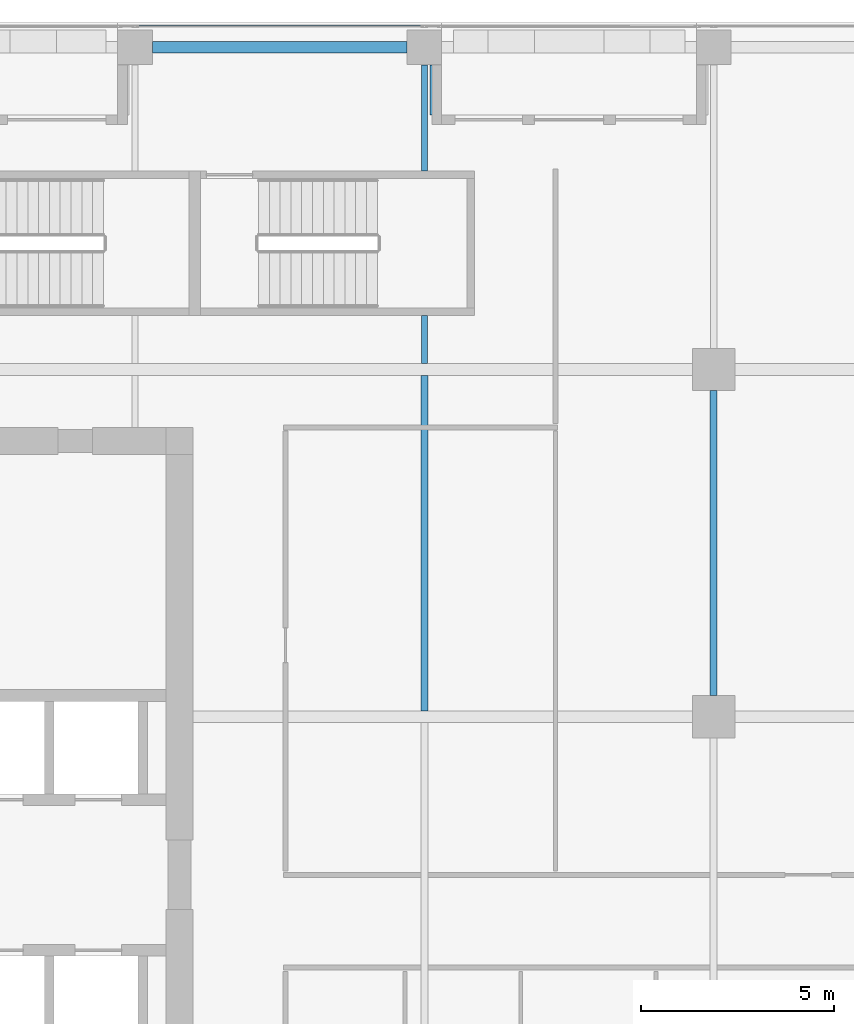
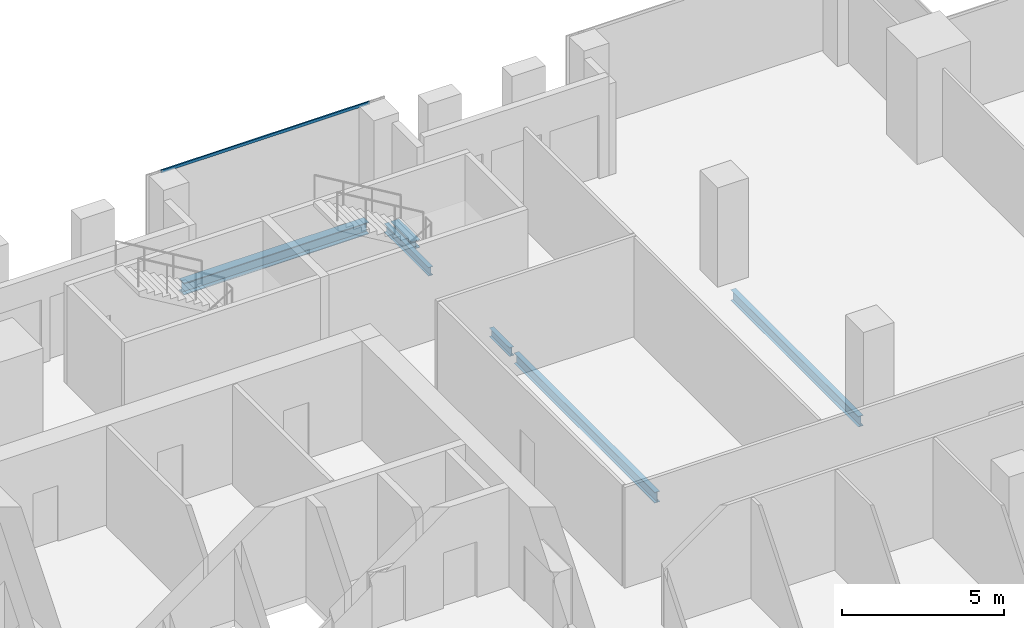
# One storey, part 19 of 36: 6 beams, 1 member, 1 element without a shape of its own.
"""IFC4 building model written with IfcOpenShell, lengths in metres."""

from ifc_helpers import new_model, si_unit, direction, frame, origin, origin_2d, place, context, subcontext, project, spatial, hollow_rectangle, i_section, extrude, source, transform, mapped, material, material_profile, profile_set, type_object, element, aggregate, save


model = new_model("IFC4")

# Units and contexts
model_context = context("Model", 3, precision=1e-05, world=origin(), true_north=direction((0.0, 1.0)))
body_context = subcontext(model_context, "Body", "Model", "MODEL_VIEW")
ifc_project = project(units=[si_unit("LENGTHUNIT", "METRE"), si_unit("AREAUNIT", "SQUARE_METRE"), si_unit("VOLUMEUNIT", "CUBIC_METRE"), si_unit("PLANEANGLEUNIT", "RADIAN"), si_unit("MASSUNIT", "GRAM", prefix="KILO")], contexts=[model_context])

# Site, building, storey
site_placement = place(None, origin())
site = spatial("IfcSite", under=ifc_project, at=site_placement, CompositionType="ELEMENT")
building_placement = place(site_placement, origin())
building = spatial("IfcBuilding", under=site, at=building_placement, Name="Khomas Fold Tower", CompositionType="ELEMENT")
storey_placement = place(building_placement, frame((0.0, 0.0, 238.199951171875)))
storey = spatial("IfcBuildingStorey", under=building, at=storey_placement, Name="L53", CompositionType="ELEMENT", Elevation=238.199951171875)

# Beams
ifc_material_1 = material(Name="Steel S355", Category="steel")
ifc_material_profile_1 = material_profile(ifc_material_1, i_section(OverallWidth=0.179931640625, OverallDepth=0.39990234375, WebThickness=0.008544921875, FlangeThickness=0.013427734375, at=origin_2d()), Name="IPE 400")
ifc_profile_set_1 = profile_set([ifc_material_profile_1], Name="Steel S355")
beam_type_1 = type_object("IfcBeamType", Name="IPE 400 beam JB3", PredefinedType="BEAM", material=ifc_profile_set_1)
shared_shape_1 = source(origin(), body_context, "Body", "SweptSolid", [
    extrude(i_section(OverallWidth=0.179931640625, OverallDepth=0.39990234375, WebThickness=0.008544921875, FlangeThickness=0.013427734375, at=origin_2d()), origin(), (0.0, 0.0, 1.0), 8.7001953125),
])
beam_1_placement = place(storey_placement, frame((27.0, 31.64990234375, -0.449951171875), z_axis=(0.0, 1.0, 0.0), x_axis=(-1.0, 0.0, 0.0)))
element("IfcBeam", 1, at=beam_1_placement, inside=storey, type_object=beam_type_1, Name="JB3", PredefinedType="BEAM", context=body_context, shape_type="MappedRepresentation", body=[
    mapped(shared_shape_1, transform((0.0, 0.0, 0.0))),
])
ifc_material_2 = material(Name="Steel S355", Category="steel")
ifc_material_profile_2 = material_profile(ifc_material_2, i_section(OverallWidth=0.159912109375, OverallDepth=0.330078125, WebThickness=0.007568359375, FlangeThickness=0.011474609375, at=origin_2d()), Name="IPE 330")
ifc_profile_set_2 = profile_set([ifc_material_profile_2], Name="Steel S355")
beam_type_2 = type_object("IfcBeamType", Name="IPE 330 beam JB1", PredefinedType="BEAM", material=ifc_profile_set_2)
shared_shape_2 = source(origin(), body_context, "Body", "SweptSolid", [
    extrude(i_section(OverallWidth=0.159912109375, OverallDepth=0.330078125, WebThickness=0.007568359375, FlangeThickness=0.011474609375, at=origin_2d()), origin(), (0.0, 0.0, 1.0), 1.25),
])
beam_2_placement = place(storey_placement, frame((27.0, 40.64990234375, -0.4150390625), z_axis=(0.0, 1.0, 0.0), x_axis=(-1.0, 0.0, 0.0)))
element("IfcBeam", 2, at=beam_2_placement, inside=storey, type_object=beam_type_2, Name="JB1", PredefinedType="BEAM", context=body_context, shape_type="MappedRepresentation", body=[
    mapped(shared_shape_2, transform((0.0, 0.0, 0.0))),
])
shared_shape_3 = source(origin(), body_context, "Body", "SweptSolid", [
    extrude(i_section(OverallWidth=0.159912109375, OverallDepth=0.330078125, WebThickness=0.007568359375, FlangeThickness=0.011474609375, at=origin_2d()), origin(), (0.0, 0.0, 1.0), 2.75),
])
beam_3_placement = place(storey_placement, frame((27.0, 45.64990234375, -0.4150390625), z_axis=(0.0, 1.0, 0.0), x_axis=(-1.0, 0.0, 0.0)))
element("IfcBeam", 3, at=beam_3_placement, inside=storey, type_object=beam_type_2, Name="JB1", PredefinedType="BEAM", context=body_context, shape_type="MappedRepresentation", body=[
    mapped(shared_shape_3, transform((0.0, 0.0, 0.0))),
])
ifc_material_3 = material(Name="Steel S355", Category="steel")
ifc_material_profile_3 = material_profile(ifc_material_3, i_section(OverallWidth=0.300048828125, OverallDepth=0.449951171875, WebThickness=0.013916015625, FlangeThickness=0.02587890625, at=origin_2d()), Name="HE 450 B")
ifc_profile_set_3 = profile_set([ifc_material_profile_3], Name="Steel S355")
beam_type_3 = type_object("IfcBeamType", Name="HE 450 B spandrel SB4", PredefinedType="SPANDREL", material=ifc_profile_set_3)
shared_shape_4 = source(origin(), body_context, "Body", "SweptSolid", [
    extrude(i_section(OverallWidth=0.300048828125, OverallDepth=0.449951171875, WebThickness=0.013916015625, FlangeThickness=0.02587890625, at=origin_2d()), origin(), (0.0, 0.0, 1.0), 6.60009765625),
])
beam_4_placement = place(storey_placement, frame((19.949951171875, 48.85009765625, -0.474853515625), z_axis=(1.0, 0.0, 0.0), x_axis=(0.0, 1.0, 0.0)))
element("IfcBeam", 4, at=beam_4_placement, inside=storey, type_object=beam_type_3, Name="SB4", PredefinedType="SPANDREL", context=body_context, shape_type="MappedRepresentation", body=[
    mapped(shared_shape_4, transform((0.0, 0.0, 0.0))),
])
shared_shape_5 = source(origin(), body_context, "Body", "SweptSolid", [
    extrude(i_section(OverallWidth=0.179931640625, OverallDepth=0.39990234375, WebThickness=0.008544921875, FlangeThickness=0.013427734375, at=origin_2d()), origin(), (0.0, 0.0, 1.0), 7.89990234375),
])
beam_5_placement = place(storey_placement, frame((34.5, 32.050048828125, -0.449951171875), z_axis=(0.0, 1.0, 0.0), x_axis=(-1.0, 0.0, 0.0)))
element("IfcBeam", 5, at=beam_5_placement, inside=storey, type_object=beam_type_1, Name="JB3", PredefinedType="BEAM", context=body_context, shape_type="MappedRepresentation", body=[
    mapped(shared_shape_5, transform((0.0, 0.0, 0.0))),
])
ifc_material_4 = material(Name="Steel S355", Category="steel")
ifc_material_profile_4 = material_profile(ifc_material_4, i_section(OverallWidth=0.300048828125, OverallDepth=0.300048828125, WebThickness=0.010986328125, FlangeThickness=0.01904296875, at=origin_2d()), Name="HE 300 B")
ifc_profile_set_4 = profile_set([ifc_material_profile_4], Name="Steel S355")
beam_type_4 = type_object("IfcBeamType", Name="HE 300 B beam BB1", PredefinedType="BEAM", material=ifc_profile_set_4)
shared_shape_6 = source(origin(), body_context, "Body", "SweptSolid", [
    extrude(i_section(OverallWidth=0.300048828125, OverallDepth=0.300048828125, WebThickness=0.010986328125, FlangeThickness=0.01904296875, at=origin_2d()), origin(), (0.0, 0.0, 1.0), 1.2998046875),
])
beam_6_placement = place(storey_placement, frame((27.300048828125, 47.10009765625, -0.39990234375), z_axis=(0.0, 1.0, 0.0), x_axis=(-1.0, 0.0, 0.0)))
element("IfcBeam", 6, at=beam_6_placement, inside=storey, type_object=beam_type_4, Name="BB1", PredefinedType="BEAM", context=body_context, shape_type="MappedRepresentation", body=[
    mapped(shared_shape_6, transform((0.0, 0.0, 0.0))),
])

# Curtain wall, member
ifc_material_5 = material(Name="Aluminium framed double glazing", Category="aluminium")
curtain_wall_type = type_object("IfcCurtainWallType", Name="SK-Unitised clear-glass wall, office floors CW2", PredefinedType="NOTDEFINED", material=ifc_material_5)
curtain_wall_placement = place(storey_placement, origin())
curtain_wall = element("IfcCurtainWall", 7, at=curtain_wall_placement, inside=storey, type_object=curtain_wall_type, Name="CW2 run L53 06-1", PredefinedType="NOTDEFINED")
ifc_material_6 = material(Name="Aluminium", Category="aluminium")
ifc_material_profile_5 = material_profile(ifc_material_6, hollow_rectangle(XDim=0.050048828125, YDim=0.110107421875, WallThickness=0.00390625, at=origin_2d()), Name="SK-Unitised clear-glass wall, office floors transom CW2-T")
ifc_profile_set_5 = profile_set([ifc_material_profile_5], Name="Aluminium")
member_type = type_object("IfcMemberType", Name="SK-Unitised clear-glass wall, office floors transom CW2-T", PredefinedType="USERDEFINED", material=ifc_profile_set_5)
shared_shape_7 = source(origin(), body_context, "Body", "SweptSolid", [
    extrude(hollow_rectangle(XDim=0.050048828125, YDim=0.110107421875, WallThickness=0.00390625, at=origin_2d()), origin(), (0.0, 0.0, 1.0), 7.43994140625),
])
member_placement = place(storey_placement, frame((26.969970703125, 49.39990234375, 3.695068359375), z_axis=(-1.0, 0.0, 0.0), x_axis=(0.0, -1.0, 0.0)))
member = element("IfcMember", 8, at=member_placement, type_object=member_type, Name="CW2 transom 2", ObjectType="TRANSOM", PredefinedType="USERDEFINED", context=body_context, shape_type="MappedRepresentation", body=[
    mapped(shared_shape_7, transform((0.0, 0.0, 0.0))),
])
aggregate(curtain_wall, [member])

save(model, "model.ifc")
